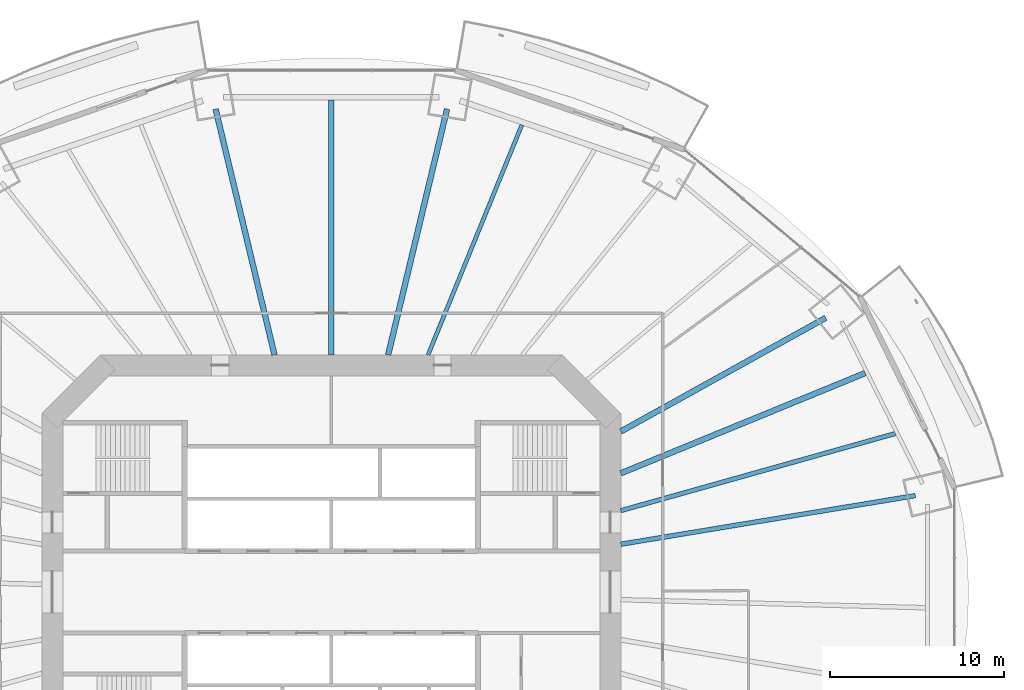
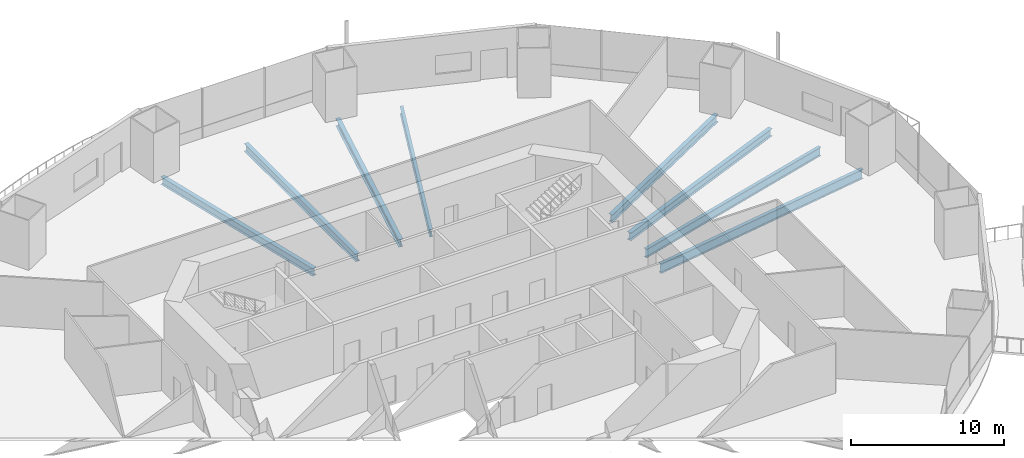
# One storey, part 8 of 23: 8 beams.
"""IFC4 building model written with IfcOpenShell, lengths in metres."""

from ifc_helpers import new_model, si_unit, direction, frame, origin, origin_2d, place, context, subcontext, project, spatial, i_section, extrude, material, material_profile, profile_set, type_object, element, save


model = new_model("IFC4")

# Units and contexts
model_context = context("Model", 3, precision=1e-05, world=origin(), true_north=direction((0.0, 1.0)))
body_context = subcontext(model_context, "Body", "Model", "MODEL_VIEW")
ifc_project = project(units=[si_unit("LENGTHUNIT", "METRE"), si_unit("AREAUNIT", "SQUARE_METRE"), si_unit("VOLUMEUNIT", "CUBIC_METRE"), si_unit("PLANEANGLEUNIT", "RADIAN"), si_unit("MASSUNIT", "GRAM", prefix="KILO")], contexts=[model_context])

# Site, building, storey
site_placement = place(None, origin())
site = spatial("IfcSite", under=ifc_project, at=site_placement, CompositionType="ELEMENT")
building_placement = place(site_placement, origin())
building = spatial("IfcBuilding", under=site, at=building_placement, Name="Marenthal Gate Tower", CompositionType="ELEMENT")
storey_placement = place(building_placement, frame((0.0, 0.0, 45.449951171875)))
storey = spatial("IfcBuildingStorey", under=building, at=storey_placement, Name="L07", CompositionType="ELEMENT", Elevation=45.449951171875)

# Beams
ifc_material_1 = material(Name="Steel S355", Category="steel")
ifc_material_profile_1 = material_profile(ifc_material_1, i_section(OverallWidth=0.22900390625, OverallDepth=0.612060546875, WebThickness=0.011962890625, FlangeThickness=0.01953125, FilletRadius=0.0126953125, at=origin_2d()), Name="W610X125")
ifc_profile_set_1 = profile_set([ifc_material_profile_1], Name="Steel S355")
beam_type_1 = type_object("IfcBeamType", Name="W610X125 beam", PredefinedType="BEAM", material=ifc_profile_set_1)
beam_1_placement = place(storey_placement, frame((10.927490234375, 26.7880859375, -0.48583984375), z_axis=(-0.377703578377, -0.925926566679, 0.0), x_axis=(0.925926566679, -0.377703578377, 0.0)))
element("IfcBeam", 1, at=beam_1_placement, inside=storey, type_object=beam_type_1, Name="BM-L07-21", PredefinedType="BEAM", context=body_context, shape_type="SweptSolid", body=[
    extrude(i_section(OverallWidth=0.22900390625, OverallDepth=0.612060546875, WebThickness=0.011962890625, FlangeThickness=0.01953125, FilletRadius=0.0126953125, at=origin_2d()), origin(), (0.0, 0.0, 1.0), 14.242919921875),
])
ifc_material_2 = material(Name="Steel S355", Category="steel")
ifc_material_profile_2 = material_profile(ifc_material_2, i_section(OverallWidth=0.324951171875, OverallDepth=0.612060546875, WebThickness=0.0126953125, FlangeThickness=0.01904296875, FilletRadius=0.0126953125, at=origin_2d()), Name="W610X155")
ifc_profile_set_2 = profile_set([ifc_material_profile_2], Name="Steel S355")
beam_type_2 = type_object("IfcBeamType", Name="W610X155 beam", PredefinedType="BEAM", material=ifc_profile_set_2)
beam_2_placement = place(storey_placement, frame((28.355712890625, 15.727294921875, -0.48583984375), z_axis=(-0.874492882968, -0.485038346565, 0.0), x_axis=(0.485038346565, -0.874492882968, 0.0)))
element("IfcBeam", 2, at=beam_2_placement, inside=storey, type_object=beam_type_2, Name="BM-L07-02", PredefinedType="BEAM", context=body_context, shape_type="SweptSolid", body=[
    extrude(i_section(OverallWidth=0.324951171875, OverallDepth=0.612060546875, WebThickness=0.0126953125, FlangeThickness=0.01904296875, FilletRadius=0.0126953125, at=origin_2d()), origin(), (0.0, 0.0, 1.0), 13.44287109375),
])
for number, where, z_axis, x_axis, name in (
    (3, (6.63671875, 27.6953125, -0.48583984375), (-0.233035932215, -0.97246812508, 0.0), (0.97246812508, -0.233035932215, 0.0), "BM-L07-04"),
    (4, (-6.63671875, 27.6953125, -0.48583984375), (0.233035932215, -0.97246812508, 0.0), (0.97246812508, 0.233035932215, 0.0), "BM-L07-05"),
):
    element("IfcBeam", number, at=place(storey_placement, frame(where, z_axis=z_axis, x_axis=x_axis)), inside=storey, type_object=beam_type_2, Name=name, PredefinedType="BEAM", context=body_context, shape_type="SweptSolid", body=[
        extrude(i_section(OverallWidth=0.324951171875, OverallDepth=0.612060546875, WebThickness=0.0126953125, FlangeThickness=0.01904296875, FilletRadius=0.0126953125, at=origin_2d()), origin(), (0.0, 0.0, 1.0), 14.494384765625),
    ])
beam_3_placement = place(storey_placement, frame((30.6201171875, 12.55810546875, -0.48583984375), z_axis=(-0.925210391668, -0.379454517894, 0.0), x_axis=(0.379454517894, -0.925210391668, 0.0)))
element("IfcBeam", 5, at=beam_3_placement, inside=storey, type_object=beam_type_2, Name="BM-L07-18", PredefinedType="BEAM", context=body_context, shape_type="SweptSolid", body=[
    extrude(i_section(OverallWidth=0.324951171875, OverallDepth=0.612060546875, WebThickness=0.0126953125, FlangeThickness=0.01904296875, FilletRadius=0.0126953125, at=origin_2d()), origin(), (0.0, 0.0, 1.0), 15.1533203125),
])
beam_4_placement = place(storey_placement, frame((0.0, 28.216552734375, -0.48583984375), z_axis=(0.0, -1.0, 0.0), x_axis=(1.0, 0.0, 0.0)))
element("IfcBeam", 6, at=beam_4_placement, inside=storey, type_object=beam_type_2, Name="BM-L07-22", PredefinedType="BEAM", context=body_context, shape_type="SweptSolid", body=[
    extrude(i_section(OverallWidth=0.324951171875, OverallDepth=0.612060546875, WebThickness=0.0126953125, FlangeThickness=0.01904296875, FilletRadius=0.0126953125, at=origin_2d()), origin(), (0.0, 0.0, 1.0), 14.616455078125),
])
ifc_material_3 = material(Name="Steel S355", Category="steel")
ifc_material_profile_3 = material_profile(ifc_material_3, i_section(OverallWidth=0.257080078125, OverallDepth=0.693115234375, WebThickness=0.014404296875, FlangeThickness=0.023681640625, FilletRadius=0.015380859375, at=origin_2d()), Name="W690X170")
ifc_profile_set_3 = profile_set([ifc_material_profile_3], Name="Steel S355")
beam_type_3 = type_object("IfcBeamType", Name="W690X170 beam", PredefinedType="BEAM", material=ifc_profile_set_3)
beam_5_placement = place(storey_placement, frame((32.349365234375, 9.092529296875, -0.5263671875), z_axis=(-0.962694320478, -0.27059128833, 0.0), x_axis=(0.27059128833, -0.962694320478, 0.0)))
element("IfcBeam", 7, at=beam_5_placement, inside=storey, type_object=beam_type_3, Name="BM-L07-17", PredefinedType="BEAM", context=body_context, shape_type="SweptSolid", body=[
    extrude(i_section(OverallWidth=0.257080078125, OverallDepth=0.693115234375, WebThickness=0.014404296875, FlangeThickness=0.023681640625, FilletRadius=0.015380859375, at=origin_2d()), origin(), (0.0, 0.0, 1.0), 16.359619140625),
])
ifc_material_4 = material(Name="Steel S355", Category="steel")
ifc_material_profile_4 = material_profile(ifc_material_4, i_section(OverallWidth=0.26708984375, OverallDepth=0.761962890625, WebThickness=0.014404296875, FlangeThickness=0.021484375, FilletRadius=0.0166015625, at=origin_2d()), Name="W760X173")
ifc_profile_set_4 = profile_set([ifc_material_profile_4], Name="Steel S355")
beam_type_4 = type_object("IfcBeamType", Name="W760X173 beam", PredefinedType="BEAM", material=ifc_profile_set_4)
beam_6_placement = place(storey_placement, frame((33.494384765625, 5.530517578125, -0.56103515625), z_axis=(-0.986640584699, -0.162912113192, 0.0), x_axis=(0.162912113192, -0.986640584699, 0.0)))
element("IfcBeam", 8, at=beam_6_placement, inside=storey, type_object=beam_type_4, Name="BM-L07-01", PredefinedType="BEAM", context=body_context, shape_type="SweptSolid", body=[
    extrude(i_section(OverallWidth=0.26708984375, OverallDepth=0.761962890625, WebThickness=0.014404296875, FlangeThickness=0.021484375, FilletRadius=0.0166015625, at=origin_2d()), origin(), (0.0, 0.0, 1.0), 17.123046875),
])

save(model, "model.ifc")
